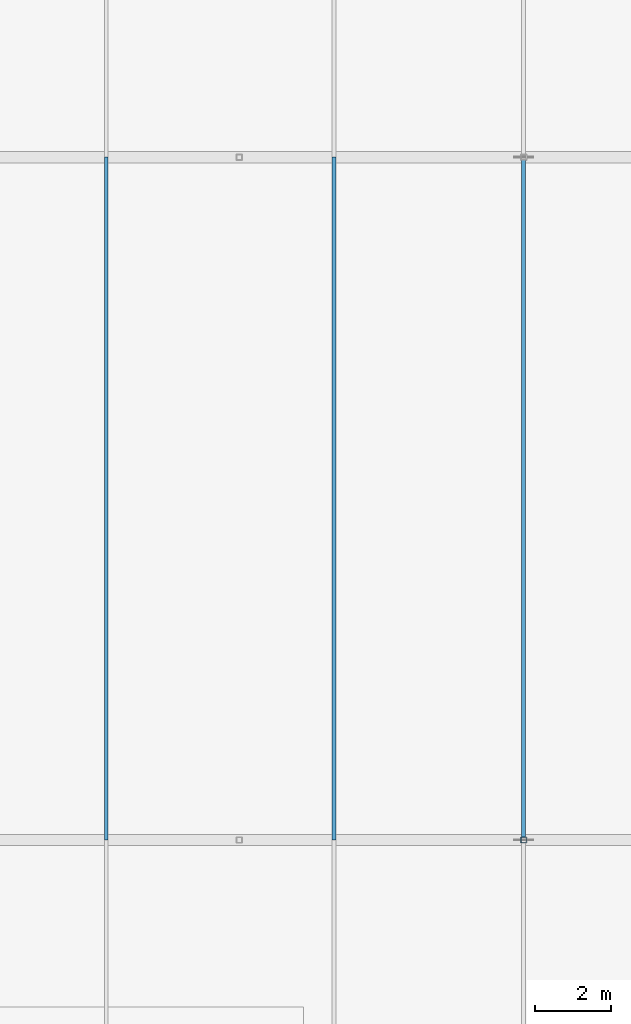
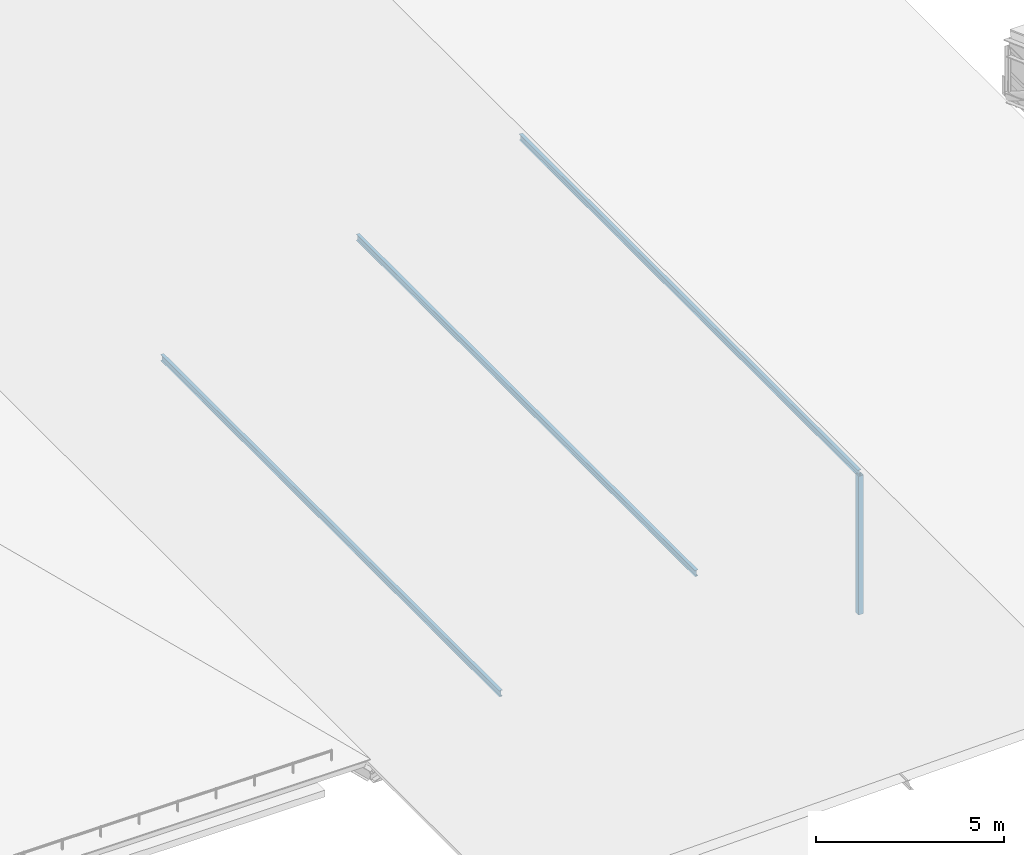
# One storey, part 12 of 204: 4 members.
"""IFC4 building model written with IfcOpenShell, lengths in metres."""

from ifc_helpers import new_model, si_unit, direction, frame, origin, origin_2d, place, context, subcontext, project, spatial, hollow_rectangle, i_section, extrude, material, material_profile, profile_set, type_object, element, save


model = new_model("IFC4")

# Units and contexts
model_context = context("Model", 3, precision=1e-05, world=origin(), true_north=direction((0.0, 1.0)))
body_context = subcontext(model_context, "Body", "Model", "MODEL_VIEW")
ifc_project = project(units=[si_unit("LENGTHUNIT", "METRE"), si_unit("AREAUNIT", "SQUARE_METRE"), si_unit("VOLUMEUNIT", "CUBIC_METRE"), si_unit("PLANEANGLEUNIT", "RADIAN"), si_unit("MASSUNIT", "GRAM", prefix="KILO")], contexts=[model_context])

# Site, building, storey
site_placement = place(None, origin())
site = spatial("IfcSite", under=ifc_project, at=site_placement, CompositionType="ELEMENT")
building_placement = place(site_placement, origin())
building = spatial("IfcBuilding", under=site, at=building_placement, Name="Zilviju Railside Exhibition Hall", CompositionType="ELEMENT")
storey_placement = place(building_placement, frame((0.0, 0.0, 21.0)))
storey = spatial("IfcBuildingStorey", under=building, at=storey_placement, Name="RF", CompositionType="ELEMENT", Elevation=21.0)

# Members
ifc_material = material(Name="Steel S355J2", Category="steel")
ifc_material_profile_1 = material_profile(ifc_material, hollow_rectangle(XDim=0.14990234375, YDim=0.14990234375, WallThickness=0.008056640625, at=origin_2d()), Name="SHS 150x150x8.0")
ifc_profile_set_1 = profile_set([ifc_material_profile_1], Name="Steel S355J2")
member_type_1 = type_object("IfcMemberType", Name="TR-POST-SHS150", PredefinedType="POST", material=ifc_profile_set_1)
member_placement = place(storey_placement, frame((63.0, 36.0, -8.39990234375), z_axis=(0.0, 0.0, 1.0), x_axis=(1.0, 0.0, 0.0)))
element("IfcMember", 1, at=member_placement, inside=storey, type_object=member_type_1, Name="Concourse Saddle King Post Y=36.0", PredefinedType="POST", context=body_context, shape_type="SweptSolid", body=[
    extrude(hollow_rectangle(XDim=0.14990234375, YDim=0.14990234375, WallThickness=0.008056640625, at=origin_2d()), origin(), (0.0, 0.0, 1.0), 4.5),
])
ifc_material_profile_2 = material_profile(ifc_material, i_section(OverallWidth=0.10009765625, OverallDepth=0.199951171875, WebThickness=0.005615234375, FlangeThickness=0.008544921875, at=origin_2d()), Name="IPE 200")
ifc_profile_set_2 = profile_set([ifc_material_profile_2], Name="Steel S355J2")
member_type_2 = type_object("IfcMemberType", Name="TR-PUR-IPE200", PredefinedType="PURLIN", material=ifc_profile_set_2)
for number, where, z_axis, x_axis, name in (
    (2, (52.0, 36.0, -7.159912109375), (0.0, 1.0, 0.0), (-1.0, 0.0, 0.0), "Concourse Lantern Purlin X=52.0"),
    (3, (58.0, 36.0, -5.360107421875), (0.0, 1.0, 0.0), (-1.0, 0.0, 0.0), "Concourse Lantern Purlin X=58.0"),
    (4, (63.0, 36.0, -3.860107421875), (0.0, 1.0, 0.0), (-1.0, 0.0, 0.0), "Concourse Lantern Purlin X=63.0"),
):
    element("IfcMember", number, at=place(storey_placement, frame(where, z_axis=z_axis, x_axis=x_axis)), inside=storey, type_object=member_type_2, Name=name, PredefinedType="PURLIN", context=body_context, shape_type="SweptSolid", body=[
        extrude(i_section(OverallWidth=0.10009765625, OverallDepth=0.199951171875, WebThickness=0.005615234375, FlangeThickness=0.008544921875, at=origin_2d()), origin(), (0.0, 0.0, 1.0), 18.0),
    ])

save(model, "model.ifc")
